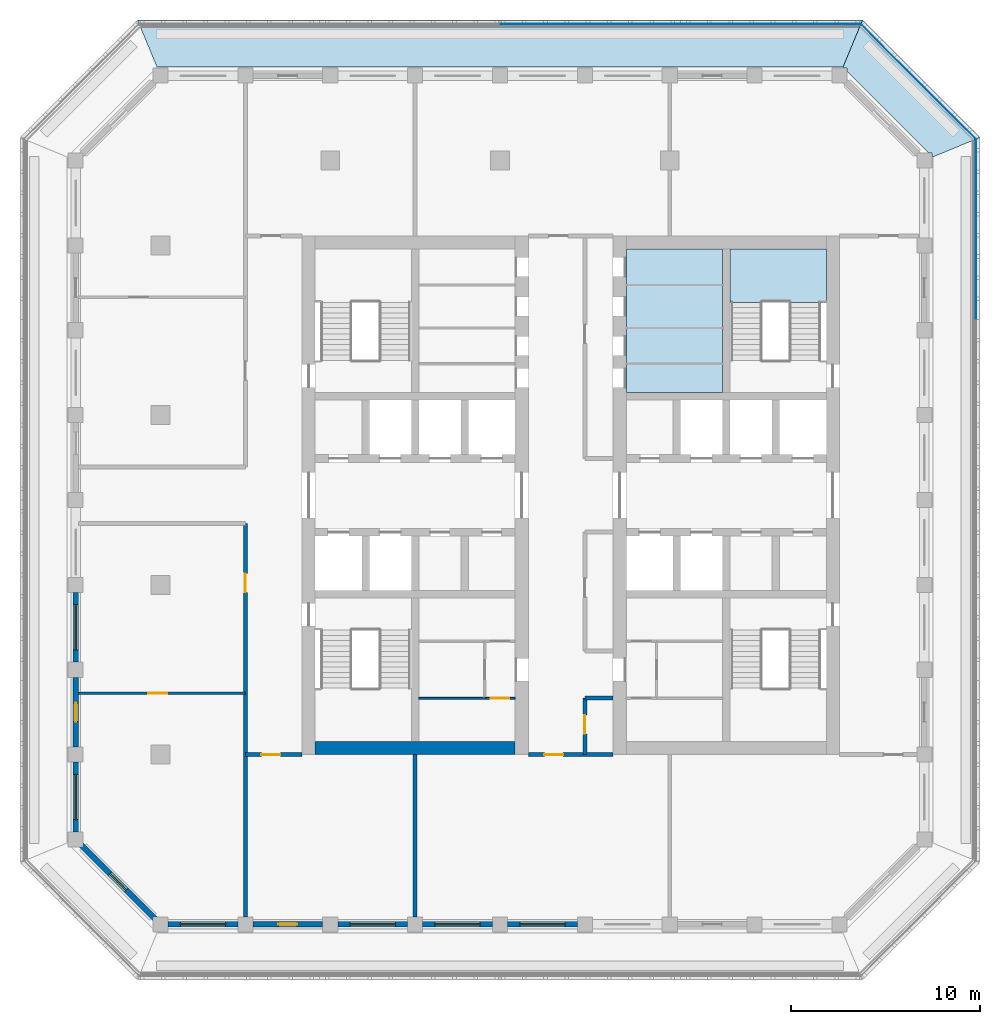
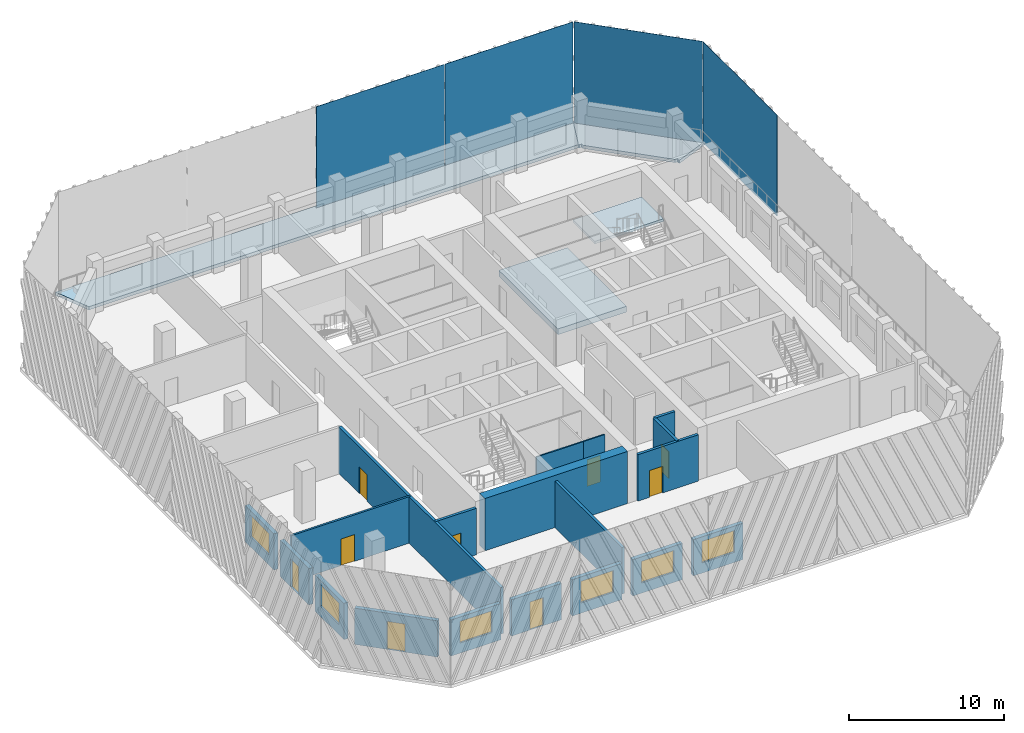
# One storey, part 2 of 15: 19 walls, 9 doors, 6 windows, 4 plates, 4 slabs, 15 openings, 1 element without a shape of its own.
"""IFC4 building model written with IfcOpenShell, lengths in metres."""

import ifcopenshell
import ifcopenshell.guid

model = None  # the IFC model being written
_history = None  # IfcOwnerHistory: only IFC2X3 demands one
_inside = {}  # id of a spatial element -> (the spatial element, [elements in it])
_under = {}  # id of a project, library or spatial element -> (it, [spatial elements below it])
_declared = {}  # id of a project -> (the project, [libraries it declares])
_typed = {}  # id of a type object -> (the type object, [elements of that type])
_made_of = {}  # id of a material, layer set ... -> (it, [elements and type objects made of it])


def new_model(schema):
    """Start an empty IFC model of exactly this schema.

    Asked for "IFC4X3", IfcOpenShell would pick the latest addendum, in which some entities
    have other attributes; the version numbers below select the first issue.
    IFC2X3 requires an IfcOwnerHistory on every rooted entity: one is made here for all.
    """
    global model, _history
    if schema == "IFC4X3":
        model = ifcopenshell.file(schema_version=(4, 3, 0, 0))
    else:
        model = ifcopenshell.file(schema=schema)
    _inside.clear()
    _under.clear()
    _declared.clear()
    _typed.clear()
    _made_of.clear()
    _history = None
    if model.schema == "IFC2X3":
        org = make("IfcOrganization", Name="unknown")
        user = make(
            "IfcPersonAndOrganization",
            ThePerson=make("IfcPerson", FamilyName="unknown"),
            TheOrganization=org,
        )
        app = make(
            "IfcApplication",
            ApplicationDeveloper=org,
            Version="unknown",
            ApplicationFullName="unknown",
            ApplicationIdentifier="unknown",
        )
        _history = make(
            "IfcOwnerHistory",
            OwningUser=user,
            OwningApplication=app,
            ChangeAction="ADDED",
            CreationDate=0,
        )
    return model


def make(cls, **values):
    """One entity of the class cls with the attributes given. An attribute that is None is left unset."""
    return model.create_entity(
        cls, **{name: value for name, value in values.items() if value is not None}
    )


def rooted(cls, **values):
    """An entity with a GlobalId (a new one), such as an element, a storey or a relation."""
    return make(cls, GlobalId=ifcopenshell.guid.new(), OwnerHistory=_history, **values)


def si_unit(unit_type, name, prefix=None):
    """IfcSIUnit, for example si_unit("LENGTHUNIT", "METRE", prefix="MILLI")."""
    return make("IfcSIUnit", UnitType=unit_type, Prefix=prefix, Name=name)


def assignment(units):
    """IfcUnitAssignment: the units of a project."""
    return None if units is None else make("IfcUnitAssignment", Units=units)


def point(xyz):
    """IfcCartesianPoint."""
    return None if xyz is None else make("IfcCartesianPoint", Coordinates=xyz)


def direction(xyz):
    """IfcDirection."""
    return None if xyz is None else make("IfcDirection", DirectionRatios=xyz)


def frame(location, z_axis=None, x_axis=None):
    """IfcAxis2Placement3D, a coordinate frame: its origin and axes. An axis left out is left unset."""
    return make(
        "IfcAxis2Placement3D",
        Location=point(location),
        Axis=direction(z_axis),
        RefDirection=direction(x_axis),
    )


def frame_2d(location, x_axis=None):
    """IfcAxis2Placement2D, a coordinate frame in the plane: its origin and x axis."""
    return make(
        "IfcAxis2Placement2D", Location=point(location), RefDirection=direction(x_axis)
    )


def origin():
    """The frame at (0, 0, 0) with its axes left unset."""
    return frame((0.0, 0.0, 0.0))


def origin_2d():
    """The frame at (0, 0) in the plane with its x axis left unset."""
    return frame_2d((0.0, 0.0))


def place(relative_to, where):
    """IfcLocalPlacement: puts the frame where relative to a parent placement (None: the world)."""
    return make(
        "IfcLocalPlacement", PlacementRelTo=relative_to, RelativePlacement=where
    )


def context(
    kind, dimensions, precision=None, world=None, true_north=None, identifier=None
):
    """IfcGeometricRepresentationContext, for example the 3D "Model" context."""
    return make(
        "IfcGeometricRepresentationContext",
        ContextIdentifier=identifier,
        ContextType=kind,
        CoordinateSpaceDimension=dimensions,
        Precision=precision,
        WorldCoordinateSystem=world,
        TrueNorth=true_north,
    )


def subcontext(parent, identifier, kind, view, scale=None):
    """IfcGeometricRepresentationSubContext, for example "Body" below "Model"."""
    return make(
        "IfcGeometricRepresentationSubContext",
        ContextIdentifier=identifier,
        ContextType=kind,
        ParentContext=parent,
        TargetScale=scale,
        TargetView=view,
    )


def project(units=None, contexts=None):
    """IfcProject with its units and contexts."""
    return rooted(
        "IfcProject",
        Name="project",
        RepresentationContexts=contexts,
        UnitsInContext=assignment(units),
    )


def spatial(cls, under=None, at=None, **own):
    """A site, building, storey or space (cls), placed at a placement, below another one or the project."""
    s = rooted(cls, ObjectPlacement=at, **own)
    if under is not None:
        _under.setdefault(under.id(), (under, []))[1].append(s)
    return s


def polyline(points):
    """IfcPolyline through the points."""
    return make("IfcPolyline", Points=[point(p) for p in points])


def profile(cls, at=None, kind="AREA", **sizes):
    """A parametric profile (cls). Its sizes go by their IFC names, for example OverallWidth=200.0."""
    return make(cls, ProfileType=kind, Position=at, **sizes)


def rectangle(**sizes):
    """IfcRectangleProfileDef."""
    return profile("IfcRectangleProfileDef", **sizes)


def outline(outer, holes=None, kind="AREA"):
    """IfcArbitraryClosedProfileDef: a profile drawn as a closed curve; with holes, ...WithVoids."""
    if holes is None:
        return make("IfcArbitraryClosedProfileDef", ProfileType=kind, OuterCurve=outer)
    return make(
        "IfcArbitraryProfileDefWithVoids",
        ProfileType=kind,
        OuterCurve=outer,
        InnerCurves=holes,
    )


def extrude(swept, where, along, depth):
    """IfcExtrudedAreaSolid: the profile swept, set in the frame where, extruded along a direction by depth."""
    return make(
        "IfcExtrudedAreaSolid",
        SweptArea=swept,
        Position=where,
        ExtrudedDirection=direction(along),
        Depth=depth,
    )


def shape(context_of_items, identifier, shape_type, items):
    """IfcShapeRepresentation: the items that make up one representation, for example the "Body"."""
    return make(
        "IfcShapeRepresentation",
        ContextOfItems=context_of_items,
        RepresentationIdentifier=identifier,
        RepresentationType=shape_type,
        Items=items,
    )


def material(Name=None, Category=None):
    """IfcMaterial."""
    return make("IfcMaterial", Name=Name, Category=Category)


def layer(
    of_material, thickness, ventilated=None, Name=None, Category=None, Priority=None
):
    """IfcMaterialLayer: one layer of a wall or slab, of a material (None: an air gap)."""
    return make(
        "IfcMaterialLayer",
        Material=of_material,
        LayerThickness=thickness,
        IsVentilated=ventilated,
        Name=Name,
        Category=Category,
        Priority=Priority,
    )


def layer_set(layers, Name=None):
    """IfcMaterialLayerSet."""
    return make("IfcMaterialLayerSet", MaterialLayers=layers, LayerSetName=Name)


def made_of(thing, what):
    """Note that an element or type object is made of a material, layer set ...; save() writes the relation."""
    if what is not None:
        _made_of.setdefault(what.id(), (what, []))[1].append(thing)
    return thing


def type_object(cls, material=None, **own):
    """A type object (cls), such as IfcWallType, which elements share."""
    return made_of(rooted(cls, **own), material)


def element(
    cls,
    number,
    at=None,
    inside=None,
    cuts=None,
    type_object=None,
    material=None,
    context=None,
    identifier="Body",
    shape_type=None,
    held_by="IfcProductDefinitionShape",
    body=None,
    shapes=None,
    **own,
):
    """One element of the class cls, such as IfcWall. Its Tag is "e" and its number.

    at: its placement. inside: the storey or other place that contains it. cuts: it is an
    opening in that element (IfcRelVoidsElement). A single representation is given by context,
    identifier, shape_type and body (its items); several are given by shapes. held_by: the class
    of the entity that holds the representations. save() writes the other relations.
    """
    e = rooted(cls, Tag="e%d" % number, ObjectPlacement=at, **own)
    if body is not None:
        shapes = [shape(context, identifier, shape_type, body)]
    if shapes is not None:
        e.Representation = make(held_by, Representations=shapes)
    if inside is not None:
        _inside.setdefault(inside.id(), (inside, []))[1].append(e)
    if cuts is not None:
        rooted(
            "IfcRelVoidsElement", RelatingBuildingElement=cuts, RelatedOpeningElement=e
        )
    if type_object is not None:
        _typed.setdefault(type_object.id(), (type_object, []))[1].append(e)
    return made_of(e, material)


def fill(opening, filler):
    """IfcRelFillsElement: the door or window that sits in an opening."""
    return rooted(
        "IfcRelFillsElement",
        RelatingOpeningElement=opening,
        RelatedBuildingElement=filler,
    )


def aggregate(whole, parts):
    """IfcRelAggregates: a whole, such as a stair, and the parts it consists of."""
    return rooted("IfcRelAggregates", RelatingObject=whole, RelatedObjects=parts)


def save(model, path):
    """Write the relations noted so far, then the file.

    IfcRelAggregates (storeys below a building ...), IfcRelContainedInSpatialStructure (elements
    in a storey), IfcRelDefinesByType, IfcRelAssociatesMaterial and IfcRelDeclares: one each for
    every whole, place, type object, material and project.
    """
    for whole, parts in _under.values():
        aggregate(whole, parts)
    for where, things in _inside.values():
        rooted(
            "IfcRelContainedInSpatialStructure",
            RelatedElements=things,
            RelatingStructure=where,
        )
    for kind, things in _typed.values():
        rooted("IfcRelDefinesByType", RelatedObjects=things, RelatingType=kind)
    for what, things in _made_of.values():
        rooted("IfcRelAssociatesMaterial", RelatedObjects=things, RelatingMaterial=what)
    for by, libraries in _declared.values():
        rooted("IfcRelDeclares", RelatingContext=by, RelatedDefinitions=libraries)
    model.write(path)


model = new_model("IFC4")

# Units and contexts
model_context = context("Model", 3, precision=1e-05, world=origin(), true_north=direction((0.0, 1.0)))
body_context = subcontext(model_context, "Body", "Model", "MODEL_VIEW")
ifc_project = project(units=[si_unit("LENGTHUNIT", "METRE"), si_unit("AREAUNIT", "SQUARE_METRE"), si_unit("VOLUMEUNIT", "CUBIC_METRE"), si_unit("PLANEANGLEUNIT", "RADIAN"), si_unit("MASSUNIT", "GRAM", prefix="KILO")], contexts=[model_context])

# Site, building, storey
site_placement = place(None, origin())
site = spatial("IfcSite", under=ifc_project, at=site_placement, CompositionType="ELEMENT")
building_placement = place(site_placement, origin())
building = spatial("IfcBuilding", under=site, at=building_placement, Name="Corbel Stack Research Tower", CompositionType="ELEMENT")
storey_placement = place(building_placement, frame((0.0, 0.0, 274.5)))
storey = spatial("IfcBuildingStorey", under=building, at=storey_placement, Name="L62", CompositionType="ELEMENT", Elevation=274.5)

# Plates
ifc_material_1 = material(Name="Fritted glass", Category="glass")
ifc_layer_1 = layer(ifc_material_1, 0.02490234375)
ifc_layer_set_1 = layer_set([ifc_layer_1], Name="Fritted glass")
plate_type = type_object("IfcPlateType", Name="Fritted glass panel 25", PredefinedType="SHEET", material=ifc_layer_set_1)
plate_1_placement = place(storey_placement, frame((25.237548828125, 18.854248046875, 0.0), z_axis=(0.0, 0.0, 1.0), x_axis=(0.0, 1.0, 0.0)))
element("IfcPlate", 1, at=plate_1_placement, inside=storey, type_object=plate_type, Name="Fritted glass L62 E4", PredefinedType="SHEET", context=body_context, shape_type="SweptSolid", body=[
    extrude(rectangle(XDim=9.509521484375, YDim=0.02490234375, at=origin_2d()), origin(), (0.0, 0.0, 1.0), 7.949951171875),
])
plate_2_placement = place(storey_placement, frame((22.185791015625, 26.685791015625, 0.0), z_axis=(0.0, 0.0, 1.0), x_axis=(-0.707106781187, 0.707106781187, 0.0)))
element("IfcPlate", 2, at=plate_2_placement, inside=storey, type_object=plate_type, Name="Fritted glass L62 NE1", PredefinedType="SHEET", context=body_context, shape_type="SweptSolid", body=[
    extrude(rectangle(XDim=8.58203125, YDim=0.02490234375, at=origin_2d()), origin(), (0.0, 0.0, 1.0), 7.949951171875),
])
for number, where, z_axis, x_axis, name in (
    (3, (14.354248046875, 29.737548828125, 0.0), (0.0, 0.0, 1.0), (-1.0, 0.0, 0.0), "Fritted glass L62 N1"),
    (4, (4.784912109375, 29.737548828125, 0.0), (0.0, 0.0, 1.0), (-1.0, 0.0, 0.0), "Fritted glass L62 N2"),
):
    element("IfcPlate", number, at=place(storey_placement, frame(where, z_axis=z_axis, x_axis=x_axis)), inside=storey, type_object=plate_type, Name=name, PredefinedType="SHEET", context=body_context, shape_type="SweptSolid", body=[
        extrude(rectangle(XDim=9.509521484375, YDim=0.02490234375, at=origin_2d()), origin(), (0.0, 0.0, 1.0), 7.949951171875),
    ])

# Slabs
ifc_material_2 = material(Name="Concrete C45/55", Category="concrete")
ifc_layer_2 = layer(ifc_material_2, 0.25)
ifc_layer_set_2 = layer_set([ifc_layer_2], Name="Concrete C45/55")
slab_type_1 = type_object("IfcSlabType", Name="PT balcony slab 250 C45/55", PredefinedType="FLOOR", material=ifc_layer_set_2)
slab_1_placement = place(storey_placement, frame((0.0, 0.0, -0.25)))
element("IfcSlab", 5, at=slab_1_placement, inside=storey, type_object=slab_type_1, Name="Loggia slab L62 NE", PredefinedType="FLOOR", context=body_context, shape_type="SweptSolid", body=[
    extrude(outline(polyline([(18.186279296875, 27.449951171875), (18.236328125, 27.39990234375), (18.39990234375, 27.39990234375), (18.39990234375, 27.236328125), (22.736328125, 22.89990234375), (22.89990234375, 22.89990234375), (22.89990234375, 22.736328125), (22.949951171875, 22.686279296875), (25.449951171875, 23.721923828125), (19.221923828125, 29.949951171875), (18.186279296875, 27.449951171875)])), origin(), (0.0, 0.0, 1.0), 0.25),
])
slab_2_placement = place(storey_placement, frame((0.0, 0.0, -0.25)))
element("IfcSlab", 6, at=slab_2_placement, inside=storey, type_object=slab_type_1, Name="Loggia slab L62 N", PredefinedType="FLOOR", context=body_context, shape_type="SweptSolid", body=[
    extrude(outline(polyline([(-18.186279296875, 27.449951171875), (18.186279296875, 27.449951171875), (19.221923828125, 29.949951171875), (-19.221923828125, 29.949951171875), (-18.186279296875, 27.449951171875)])), origin(), (0.0, 0.0, 1.0), 0.25),
])
ifc_material_3 = material(Name="Concrete C45/55", Category="concrete")
ifc_layer_3 = layer(ifc_material_3, 0.449951171875)
ifc_layer_set_3 = layer_set([ifc_layer_3], Name="Concrete C45/55")
slab_type_2 = type_object("IfcSlabType", Name="PT-450", PredefinedType="FLOOR", material=ifc_layer_set_3)
slab_3_placement = place(storey_placement, frame((0.0, 0.0, -0.449951171875)))
element("IfcSlab", 7, at=slab_3_placement, inside=storey, type_object=slab_type_2, Name="East core floor L62", PredefinedType="FLOOR", context=body_context, shape_type="SweptSolid", body=[
    extrude(outline(polyline([(6.699951171875, 10.199951171875), (11.800048828125, 10.199951171875), (11.800048828125, 17.800048828125), (6.699951171875, 17.800048828125), (6.699951171875, 10.199951171875)])), origin(), (0.0, 0.0, 1.0), 0.449951171875),
])

# Stair, slab
ifc_material_4 = material(Name="Concrete C40/50", Category="concrete")
stair_type = type_object("IfcStairType", Name="Exit stair 24 risers", PredefinedType="HALF_TURN_STAIR", material=ifc_material_4)
stair_placement = place(storey_placement, origin())
stair = element("IfcStair", 8, at=stair_placement, inside=storey, type_object=stair_type, Name="L62 Exit stair ST-E2", PredefinedType="HALF_TURN_STAIR")
ifc_material_5 = material(Name="Concrete C40/50", Category="concrete")
ifc_layer_4 = layer(ifc_material_5, 0.199951171875)
ifc_layer_set_4 = layer_set([ifc_layer_4], Name="Concrete C40/50")
slab_type_3 = type_object("IfcSlabType", Name="Stair landing 200 C40/50", PredefinedType="LANDING", material=ifc_layer_set_4)
slab_4_placement = place(storey_placement, frame((0.0, 0.0, 1.85009765625)))
slab_4 = element("IfcSlab", 9, at=slab_4_placement, type_object=slab_type_3, Name="ST-E2 landing 1", PredefinedType="LANDING", context=body_context, shape_type="SweptSolid", body=[
    extrude(outline(polyline([(12.199951171875, 14.97998046875), (12.199951171875, 17.800048828125), (17.300048828125, 17.800048828125), (17.300048828125, 14.97998046875), (12.199951171875, 14.97998046875)])), origin(), (0.0, 0.0, 1.0), 0.199951171875),
])
aggregate(stair, [slab_4])

# Wall
ifc_material_6 = material(Name="Concrete C60/75", Category="concrete")
ifc_layer_5 = layer(ifc_material_6, 0.699951171875)
ifc_layer_set_5 = layer_set([ifc_layer_5], Name="Concrete C60/75")
wall_type_1 = type_object("IfcWallType", Name="CW-700-60", PredefinedType="SHEAR", material=ifc_layer_set_5)
wall_1_placement = place(storey_placement, frame((-9.800048828125, -8.64990234375, 0.0), z_axis=(0.0, 0.0, 1.0), x_axis=(1.0, 0.0, 0.0)))
element("IfcWall", 10, at=wall_1_placement, inside=storey, type_object=wall_type_1, Name="West core wall, south end L62", PredefinedType="SHEAR", context=body_context, shape_type="SweptSolid", body=[
    extrude(rectangle(XDim=10.60009765625, YDim=0.699951171875, at=frame_2d((5.300048828125, 0.0))), origin(), (0.0, 0.0, 1.0), 4.10009765625),
])

# Wall, opening, door
ifc_material_7 = material(Name="Gypsum board")
ifc_layer_6 = layer(ifc_material_7, 0.10009765625)
ifc_layer_set_6 = layer_set([ifc_layer_6], Name="Gypsum board")
wall_type_2 = type_object("IfcWallType", Name="Core partition 100", PredefinedType="PARTITIONING", material=ifc_layer_set_6)
wall_2_placement = place(storey_placement, frame((-0.800048828125, -6.02001953125, 0.0), z_axis=(0.0, 0.0, 1.0), x_axis=(1.0, 0.0, 0.0)))
wall_2 = element("IfcWall", 11, at=wall_2_placement, inside=storey, type_object=wall_type_2, Name="Core partition W", PredefinedType="PARTITIONING", context=body_context, shape_type="SweptSolid", body=[
    extrude(rectangle(XDim=1.60009765625, YDim=0.10009765625, at=frame_2d((0.800048828125, 0.0))), origin(), (0.0, 0.0, 1.0), 3.64990234375),
])
opening_1_placement = place(wall_2_placement, frame((0.300048828125, 0.0, 0.0)))
opening_1 = element("IfcOpeningElement", 12, at=opening_1_placement, cuts=wall_2, Name="Opening CR-W36-W2-1000", PredefinedType="OPENING", context=body_context, shape_type="SweptSolid", body=[
    extrude(rectangle(XDim=1.0, YDim=2.10009765625, at=frame_2d((0.5, 1.050048828125))), frame((0.0, 0.06005859375, 0.0), z_axis=(0.0, -1.0, 0.0), x_axis=(1.0, 0.0, 0.0)), (0.0, 0.0, 1.0), 0.1201171875),
])
ifc_material_8 = material(Name="Painted timber door", Category="wood")
door_type_1 = type_object("IfcDoorType", Name="WC door 1000 x 2100 right hand", OperationType="SINGLE_SWING_RIGHT", PredefinedType="DOOR", material=ifc_material_8)
door_1_placement = place(opening_1_placement, origin())
door_1 = element("IfcDoor", 13, at=door_1_placement, inside=storey, type_object=door_type_1, Name="Men's WC door W core", OperationType="SINGLE_SWING_RIGHT", OverallHeight=2.10009765625, OverallWidth=1.0, PredefinedType="DOOR", context=body_context, shape_type="SweptSolid", body=[
    extrude(rectangle(XDim=1.0, YDim=2.10009765625, at=frame_2d((0.5, 1.050048828125))), frame((0.0, 0.02490234375, 0.0), z_axis=(0.0, -1.0, 0.0), x_axis=(1.0, 0.0, 0.0)), (0.0, 0.0, 1.0), 0.050048828125),
])
fill(opening_1, door_1)

# Wall
wall_3_placement = place(storey_placement, frame((-4.300048828125, -6.02001953125, 0.0), z_axis=(0.0, 0.0, 1.0), x_axis=(1.0, 0.0, 0.0)))
element("IfcWall", 14, at=wall_3_placement, inside=storey, type_object=wall_type_2, Name="Core partition W", PredefinedType="PARTITIONING", context=body_context, shape_type="SweptSolid", body=[
    extrude(rectangle(XDim=3.5, YDim=0.10009765625, at=frame_2d((1.75, 0.0))), origin(), (0.0, 0.0, 1.0), 3.64990234375),
])

# Wall, opening, door
ifc_material_9 = material(Name="Fire-rated gypsum board partition on steel studs", Category="steel")
ifc_layer_7 = layer(ifc_material_9, 0.199951171875)
ifc_layer_set_7 = layer_set([ifc_layer_7], Name="Fire-rated gypsum board partition on steel studs")
wall_type_3 = type_object("IfcWallType", Name="Fire-rated partition 200 EI 60", PredefinedType="PARTITIONING", material=ifc_layer_set_7)
wall_4_placement = place(storey_placement, frame((-13.5, -17.60009765625, 0.0), z_axis=(0.0, 0.0, 1.0), x_axis=(0.0, 1.0, 0.0)))
wall_4 = element("IfcWall", 15, at=wall_4_placement, inside=storey, type_object=wall_type_3, Name="Partition L62-001", PredefinedType="PARTITIONING", context=body_context, shape_type="SweptSolid", body=[
    extrude(rectangle(XDim=20.85009765625, YDim=0.199951171875, at=frame_2d((10.425048828125, 0.0))), origin(), (0.0, 0.0, 1.0), 3.64990234375),
])
opening_2_placement = place(wall_4_placement, frame((17.199951171875, 0.0, 0.0)))
opening_2 = element("IfcOpeningElement", 16, at=opening_2_placement, cuts=wall_4, Name="Opening B8V1-001", PredefinedType="OPENING", context=body_context, shape_type="SweptSolid", body=[
    extrude(rectangle(XDim=1.0, YDim=2.10009765625, at=frame_2d((0.5, 1.050048828125))), frame((0.0, 0.10986328125, 0.0), z_axis=(0.0, -1.0, 0.0), x_axis=(1.0, 0.0, 0.0)), (0.0, 0.0, 1.0), 0.219970703125),
])
ifc_material_10 = material(Name="Painted steel fire door", Category="steel")
door_type_2 = type_object("IfcDoorType", Name="Fire door FD30S 1000 x 2100", OperationType="NOTDEFINED", PredefinedType="DOOR", material=ifc_material_10)
door_2_placement = place(opening_2_placement, origin())
door_2 = element("IfcDoor", 17, at=door_2_placement, inside=storey, type_object=door_type_2, Name="Door B8V1-001", OperationType="SINGLE_SWING_RIGHT", OverallHeight=2.10009765625, OverallWidth=1.0, PredefinedType="DOOR", context=body_context, shape_type="SweptSolid", body=[
    extrude(rectangle(XDim=1.0, YDim=2.10009765625, at=frame_2d((0.5, 1.050048828125))), frame((0.0, 0.02490234375, 0.0), z_axis=(0.0, -1.0, 0.0), x_axis=(1.0, 0.0, 0.0)), (0.0, 0.0, 1.0), 0.050048828125),
])
fill(opening_2, door_2)

# Wall
wall_5_placement = place(storey_placement, frame((-4.5, -17.60009765625, 0.0), z_axis=(0.0, 0.0, 1.0), x_axis=(0.0, 1.0, 0.0)))
element("IfcWall", 18, at=wall_5_placement, inside=storey, type_object=wall_type_3, Name="Partition L62-003", PredefinedType="PARTITIONING", context=body_context, shape_type="SweptSolid", body=[
    extrude(rectangle(XDim=8.60009765625, YDim=0.199951171875, at=frame_2d((4.300048828125, 0.0))), origin(), (0.0, 0.0, 1.0), 3.64990234375),
])

# Wall, opening, door
wall_6_placement = place(storey_placement, frame((4.5, -6.0, 0.0), z_axis=(0.0, 0.0, 1.0), x_axis=(0.0, -1.0, 0.0)))
wall_6 = element("IfcWall", 19, at=wall_6_placement, inside=storey, type_object=wall_type_3, Name="Partition L62-005", PredefinedType="PARTITIONING", context=body_context, shape_type="SweptSolid", body=[
    extrude(rectangle(XDim=3.0, YDim=0.199951171875, at=frame_2d((1.5, 0.0))), origin(), (0.0, 0.0, 1.0), 3.64990234375),
])
opening_3_placement = place(wall_6_placement, frame((0.89990234375, 0.0, 0.0)))
opening_3 = element("IfcOpeningElement", 20, at=opening_3_placement, cuts=wall_6, Name="Opening B8V1-007", PredefinedType="OPENING", context=body_context, shape_type="SweptSolid", body=[
    extrude(rectangle(XDim=1.0, YDim=2.10009765625, at=frame_2d((0.5, 1.050048828125))), frame((0.0, 0.10986328125, 0.0), z_axis=(0.0, -1.0, 0.0), x_axis=(1.0, 0.0, 0.0)), (0.0, 0.0, 1.0), 0.219970703125),
])
door_3_placement = place(opening_3_placement, origin())
door_3 = element("IfcDoor", 21, at=door_3_placement, inside=storey, type_object=door_type_2, Name="Door B8V1-007", OperationType="SINGLE_SWING_LEFT", OverallHeight=2.10009765625, OverallWidth=1.0, PredefinedType="DOOR", context=body_context, shape_type="SweptSolid", body=[
    extrude(rectangle(XDim=1.0, YDim=2.10009765625, at=frame_2d((0.5, 1.050048828125))), frame((0.0, 0.02490234375, 0.0), z_axis=(0.0, -1.0, 0.0), x_axis=(1.0, 0.0, 0.0)), (0.0, 0.0, 1.0), 0.050048828125),
])
fill(opening_3, door_3)

wall_7_placement = place(storey_placement, frame((-10.5, -9.0, 0.0), z_axis=(0.0, 0.0, 1.0), x_axis=(-1.0, 0.0, 0.0)))
wall_7 = element("IfcWall", 22, at=wall_7_placement, inside=storey, type_object=wall_type_3, Name="Partition L62-011", PredefinedType="PARTITIONING", context=body_context, shape_type="SweptSolid", body=[
    extrude(rectangle(XDim=3.0, YDim=0.199951171875, at=frame_2d((1.5, 0.0))), origin(), (0.0, 0.0, 1.0), 3.64990234375),
])
opening_4_placement = place(wall_7_placement, frame((1.14990234375, 0.0, 0.0)))
opening_4 = element("IfcOpeningElement", 23, at=opening_4_placement, cuts=wall_7, Name="Opening B8V1-003", PredefinedType="OPENING", context=body_context, shape_type="SweptSolid", body=[
    extrude(rectangle(XDim=1.0, YDim=2.10009765625, at=frame_2d((0.5, 1.050048828125))), frame((0.0, 0.10986328125, 0.0), z_axis=(0.0, -1.0, 0.0), x_axis=(1.0, 0.0, 0.0)), (0.0, 0.0, 1.0), 0.219970703125),
])
door_4_placement = place(opening_4_placement, origin())
door_4 = element("IfcDoor", 24, at=door_4_placement, inside=storey, type_object=door_type_2, Name="Door B8V1-003", OperationType="SINGLE_SWING_RIGHT", OverallHeight=2.10009765625, OverallWidth=1.0, PredefinedType="DOOR", context=body_context, shape_type="SweptSolid", body=[
    extrude(rectangle(XDim=1.0, YDim=2.10009765625, at=frame_2d((0.5, 1.050048828125))), frame((0.0, 0.02490234375, 0.0), z_axis=(0.0, -1.0, 0.0), x_axis=(1.0, 0.0, 0.0)), (0.0, 0.0, 1.0), 0.050048828125),
])
fill(opening_4, door_4)

wall_8_placement = place(storey_placement, frame((6.0, -9.0, 0.0), z_axis=(0.0, 0.0, 1.0), x_axis=(-1.0, 0.0, 0.0)))
wall_8 = element("IfcWall", 25, at=wall_8_placement, inside=storey, type_object=wall_type_3, Name="Partition L62-012", PredefinedType="PARTITIONING", context=body_context, shape_type="SweptSolid", body=[
    extrude(rectangle(XDim=4.5, YDim=0.199951171875, at=frame_2d((2.25, 0.0))), origin(), (0.0, 0.0, 1.0), 3.64990234375),
])
opening_5_placement = place(wall_8_placement, frame((2.64990234375, 0.0, 0.0)))
opening_5 = element("IfcOpeningElement", 26, at=opening_5_placement, cuts=wall_8, Name="Opening B8V1-004", PredefinedType="OPENING", context=body_context, shape_type="SweptSolid", body=[
    extrude(rectangle(XDim=1.0, YDim=2.10009765625, at=frame_2d((0.5, 1.050048828125))), frame((0.0, 0.10986328125, 0.0), z_axis=(0.0, -1.0, 0.0), x_axis=(1.0, 0.0, 0.0)), (0.0, 0.0, 1.0), 0.219970703125),
])
door_5_placement = place(opening_5_placement, origin())
door_5 = element("IfcDoor", 27, at=door_5_placement, inside=storey, type_object=door_type_2, Name="Door B8V1-004", OperationType="SINGLE_SWING_RIGHT", OverallHeight=2.10009765625, OverallWidth=1.0, PredefinedType="DOOR", context=body_context, shape_type="SweptSolid", body=[
    extrude(rectangle(XDim=1.0, YDim=2.10009765625, at=frame_2d((0.5, 1.050048828125))), frame((0.0, 0.02490234375, 0.0), z_axis=(0.0, -1.0, 0.0), x_axis=(1.0, 0.0, 0.0)), (0.0, 0.0, 1.0), 0.050048828125),
])
fill(opening_5, door_5)

# Wall
wall_9_placement = place(storey_placement, frame((4.5, -6.0, 0.0), z_axis=(0.0, 0.0, 1.0), x_axis=(1.0, 0.0, 0.0)))
element("IfcWall", 28, at=wall_9_placement, inside=storey, type_object=wall_type_3, Name="Partition L62-014", PredefinedType="PARTITIONING", context=body_context, shape_type="SweptSolid", body=[
    extrude(rectangle(XDim=1.5, YDim=0.199951171875, at=frame_2d((0.75, 0.0))), origin(), (0.0, 0.0, 1.0), 3.64990234375),
])

# Wall, opening, door
ifc_material_11 = material(Name="Gypsum board partition on steel studs", Category="steel")
ifc_layer_8 = layer(ifc_material_11, 0.14990234375)
ifc_layer_set_8 = layer_set([ifc_layer_8], Name="Gypsum board partition on steel studs")
wall_type_4 = type_object("IfcWallType", Name="Partition 150", PredefinedType="PARTITIONING", material=ifc_layer_set_8)
wall_10_placement = place(storey_placement, frame((-13.5, -5.75, 0.0), z_axis=(0.0, 0.0, 1.0), x_axis=(-1.0, 0.0, 0.0)))
wall_10 = element("IfcWall", 29, at=wall_10_placement, inside=storey, type_object=wall_type_4, Name="Partition L62-015", PredefinedType="PARTITIONING", context=body_context, shape_type="SweptSolid", body=[
    extrude(rectangle(XDim=8.85009765625, YDim=0.14990234375, at=frame_2d((4.425048828125, 0.0))), origin(), (0.0, 0.0, 1.0), 3.64990234375),
])
opening_6_placement = place(wall_10_placement, frame((4.14990234375, 0.0, 0.0)))
opening_6 = element("IfcOpeningElement", 30, at=opening_6_placement, cuts=wall_10, Name="Opening B8V1-006", PredefinedType="OPENING", context=body_context, shape_type="SweptSolid", body=[
    extrude(rectangle(XDim=1.0, YDim=2.10009765625, at=frame_2d((0.5, 1.050048828125))), frame((0.0, 0.0849609375, 0.0), z_axis=(0.0, -1.0, 0.0), x_axis=(1.0, 0.0, 0.0)), (0.0, 0.0, 1.0), 0.169921875),
])
ifc_material_12 = material(Name="Painted timber door", Category="wood")
door_type_3 = type_object("IfcDoorType", Name="Single door 1000 x 2100", OperationType="NOTDEFINED", PredefinedType="DOOR", material=ifc_material_12)
door_6_placement = place(opening_6_placement, origin())
door_6 = element("IfcDoor", 31, at=door_6_placement, inside=storey, type_object=door_type_3, Name="Door B8V1-006", OperationType="SINGLE_SWING_RIGHT", OverallHeight=2.10009765625, OverallWidth=1.0, PredefinedType="DOOR", context=body_context, shape_type="SweptSolid", body=[
    extrude(rectangle(XDim=1.0, YDim=2.10009765625, at=frame_2d((0.5, 1.050048828125))), frame((0.0, 0.02490234375, 0.0), z_axis=(0.0, -1.0, 0.0), x_axis=(1.0, 0.0, 0.0)), (0.0, 0.0, 1.0), 0.050048828125),
])
fill(opening_6, door_6)

# Wall, opening, window
ifc_material_13 = material(Name="Concrete C45/55", Category="concrete")
ifc_layer_9 = layer(ifc_material_13, 0.300048828125)
ifc_layer_set_9 = layer_set([ifc_layer_9], Name="Concrete C45/55")
wall_type_5 = type_object("IfcWallType", Name="Terracotta-faced concrete wall 300", PredefinedType="SOLIDWALL", material=ifc_layer_set_9)
wall_11_placement = place(storey_placement, frame((-13.89990234375, -18.0, 0.0), z_axis=(0.0, 0.0, 1.0), x_axis=(-1.0, 0.0, 0.0)))
wall_11 = element("IfcWall", 32, at=wall_11_placement, inside=storey, type_object=wall_type_5, Name="Facade wall L62 S01", PredefinedType="SOLIDWALL", context=body_context, shape_type="SweptSolid", body=[
    extrude(rectangle(XDim=3.7001953125, YDim=0.300048828125, at=frame_2d((1.85009765625, 0.0))), origin(), (0.0, 0.0, 1.0), 2.85009765625),
])
opening_7_placement = place(wall_11_placement, frame((0.64990234375, 0.0, 0.800048828125)))
opening_7 = element("IfcOpeningElement", 33, at=opening_7_placement, cuts=wall_11, Name="Opening W1", PredefinedType="OPENING", context=body_context, shape_type="SweptSolid", body=[
    extrude(rectangle(XDim=2.39990234375, YDim=1.699951171875, at=frame_2d((1.199951171875, 0.85009765625))), frame((0.0, 0.159912109375, 0.0), z_axis=(0.0, -1.0, 0.0), x_axis=(1.0, 0.0, 0.0)), (0.0, 0.0, 1.0), 0.320068359375),
])
ifc_material_14 = material(Name="Aluminium frame, clear double glazing", Category="aluminium")
window_type = type_object("IfcWindowType", Name="Window W1 2400 x 1700", PartitioningType="SINGLE_PANEL", PredefinedType="WINDOW", material=ifc_material_14)
window_1_placement = place(opening_7_placement, origin())
window_1 = element("IfcWindow", 34, at=window_1_placement, inside=storey, type_object=window_type, Name="Window W1 L62 S01", OverallHeight=1.699951171875, OverallWidth=2.39990234375, PartitioningType="SINGLE_PANEL", PredefinedType="WINDOW", context=body_context, shape_type="SweptSolid", body=[
    extrude(rectangle(XDim=2.39990234375, YDim=1.699951171875, at=frame_2d((1.199951171875, 0.85009765625))), frame((0.0, 0.030029296875, 0.0), z_axis=(0.0, -1.0, 0.0), x_axis=(1.0, 0.0, 0.0)), (0.0, 0.0, 1.0), 0.06005859375),
])
fill(opening_7, window_1)

# Wall, opening, door
wall_12_placement = place(storey_placement, frame((-9.39990234375, -18.0, 0.0), z_axis=(0.0, 0.0, 1.0), x_axis=(-1.0, 0.0, 0.0)))
wall_12 = element("IfcWall", 35, at=wall_12_placement, inside=storey, type_object=wall_type_5, Name="Facade wall L62 S02", PredefinedType="SOLIDWALL", context=body_context, shape_type="SweptSolid", body=[
    extrude(rectangle(XDim=3.7001953125, YDim=0.300048828125, at=frame_2d((1.85009765625, 0.0))), origin(), (0.0, 0.0, 1.0), 2.85009765625),
])
opening_8_placement = place(wall_12_placement, frame((1.35009765625, 0.0, 0.0)))
opening_8 = element("IfcOpeningElement", 36, at=opening_8_placement, cuts=wall_12, Name="Opening L62-B01", PredefinedType="OPENING", context=body_context, shape_type="SweptSolid", body=[
    extrude(rectangle(XDim=1.0, YDim=2.199951171875, at=frame_2d((0.5, 1.10009765625))), frame((0.0, 0.159912109375, 0.0), z_axis=(0.0, -1.0, 0.0), x_axis=(1.0, 0.0, 0.0)), (0.0, 0.0, 1.0), 0.320068359375),
])
ifc_material_15 = material(Name="Aluminium frame, clear double glazing", Category="aluminium")
door_type_4 = type_object("IfcDoorType", Name="Balcony door BD1 1000 x 2200", OperationType="NOTDEFINED", PredefinedType="DOOR", material=ifc_material_15)
door_7_placement = place(opening_8_placement, origin())
door_7 = element("IfcDoor", 37, at=door_7_placement, inside=storey, type_object=door_type_4, Name="Balcony door L62-B01", OperationType="SINGLE_SWING_RIGHT", OverallHeight=2.199951171875, OverallWidth=1.0, PredefinedType="DOOR", context=body_context, shape_type="SweptSolid", body=[
    extrude(rectangle(XDim=1.0, YDim=2.199951171875, at=frame_2d((0.5, 1.10009765625))), frame((0.0, 0.02490234375, 0.0), z_axis=(0.0, -1.0, 0.0), x_axis=(1.0, 0.0, 0.0)), (0.0, 0.0, 1.0), 0.050048828125),
])
fill(opening_8, door_7)

# Wall, opening, window
wall_13_placement = place(storey_placement, frame((-4.89990234375, -18.0, 0.0), z_axis=(0.0, 0.0, 1.0), x_axis=(-1.0, 0.0, 0.0)))
wall_13 = element("IfcWall", 38, at=wall_13_placement, inside=storey, type_object=wall_type_5, Name="Facade wall L62 S03", PredefinedType="SOLIDWALL", context=body_context, shape_type="SweptSolid", body=[
    extrude(rectangle(XDim=3.7001953125, YDim=0.300048828125, at=frame_2d((1.85009765625, 0.0))), origin(), (0.0, 0.0, 1.0), 2.85009765625),
])
opening_9_placement = place(wall_13_placement, frame((0.64990234375, 0.0, 0.800048828125)))
opening_9 = element("IfcOpeningElement", 39, at=opening_9_placement, cuts=wall_13, Name="Opening W1", PredefinedType="OPENING", context=body_context, shape_type="SweptSolid", body=[
    extrude(rectangle(XDim=2.39990234375, YDim=1.699951171875, at=frame_2d((1.199951171875, 0.85009765625))), frame((0.0, 0.159912109375, 0.0), z_axis=(0.0, -1.0, 0.0), x_axis=(1.0, 0.0, 0.0)), (0.0, 0.0, 1.0), 0.320068359375),
])
window_2_placement = place(opening_9_placement, origin())
window_2 = element("IfcWindow", 40, at=window_2_placement, inside=storey, type_object=window_type, Name="Window W1 L62 S03", OverallHeight=1.699951171875, OverallWidth=2.39990234375, PartitioningType="SINGLE_PANEL", PredefinedType="WINDOW", context=body_context, shape_type="SweptSolid", body=[
    extrude(rectangle(XDim=2.39990234375, YDim=1.699951171875, at=frame_2d((1.199951171875, 0.85009765625))), frame((0.0, 0.030029296875, 0.0), z_axis=(0.0, -1.0, 0.0), x_axis=(1.0, 0.0, 0.0)), (0.0, 0.0, 1.0), 0.06005859375),
])
fill(opening_9, window_2)

wall_14_placement = place(storey_placement, frame((-0.39990234375, -18.0, 0.0), z_axis=(0.0, 0.0, 1.0), x_axis=(-1.0, 0.0, 0.0)))
wall_14 = element("IfcWall", 41, at=wall_14_placement, inside=storey, type_object=wall_type_5, Name="Facade wall L62 S04", PredefinedType="SOLIDWALL", context=body_context, shape_type="SweptSolid", body=[
    extrude(rectangle(XDim=3.7001953125, YDim=0.300048828125, at=frame_2d((1.85009765625, 0.0))), origin(), (0.0, 0.0, 1.0), 2.85009765625),
])
opening_10_placement = place(wall_14_placement, frame((0.64990234375, 0.0, 0.800048828125)))
opening_10 = element("IfcOpeningElement", 42, at=opening_10_placement, cuts=wall_14, Name="Opening W1", PredefinedType="OPENING", context=body_context, shape_type="SweptSolid", body=[
    extrude(rectangle(XDim=2.39990234375, YDim=1.699951171875, at=frame_2d((1.199951171875, 0.85009765625))), frame((0.0, 0.159912109375, 0.0), z_axis=(0.0, -1.0, 0.0), x_axis=(1.0, 0.0, 0.0)), (0.0, 0.0, 1.0), 0.320068359375),
])
window_3_placement = place(opening_10_placement, origin())
window_3 = element("IfcWindow", 43, at=window_3_placement, inside=storey, type_object=window_type, Name="Window W1 L62 S04", OverallHeight=1.699951171875, OverallWidth=2.39990234375, PartitioningType="SINGLE_PANEL", PredefinedType="WINDOW", context=body_context, shape_type="SweptSolid", body=[
    extrude(rectangle(XDim=2.39990234375, YDim=1.699951171875, at=frame_2d((1.199951171875, 0.85009765625))), frame((0.0, 0.030029296875, 0.0), z_axis=(0.0, -1.0, 0.0), x_axis=(1.0, 0.0, 0.0)), (0.0, 0.0, 1.0), 0.06005859375),
])
fill(opening_10, window_3)

wall_15_placement = place(storey_placement, frame((4.10009765625, -18.0, 0.0), z_axis=(0.0, 0.0, 1.0), x_axis=(-1.0, 0.0, 0.0)))
wall_15 = element("IfcWall", 44, at=wall_15_placement, inside=storey, type_object=wall_type_5, Name="Facade wall L62 S05", PredefinedType="SOLIDWALL", context=body_context, shape_type="SweptSolid", body=[
    extrude(rectangle(XDim=3.7001953125, YDim=0.300048828125, at=frame_2d((1.85009765625, 0.0))), origin(), (0.0, 0.0, 1.0), 2.85009765625),
])
opening_11_placement = place(wall_15_placement, frame((0.64990234375, 0.0, 0.800048828125)))
opening_11 = element("IfcOpeningElement", 45, at=opening_11_placement, cuts=wall_15, Name="Opening W1", PredefinedType="OPENING", context=body_context, shape_type="SweptSolid", body=[
    extrude(rectangle(XDim=2.39990234375, YDim=1.699951171875, at=frame_2d((1.199951171875, 0.85009765625))), frame((0.0, 0.159912109375, 0.0), z_axis=(0.0, -1.0, 0.0), x_axis=(1.0, 0.0, 0.0)), (0.0, 0.0, 1.0), 0.320068359375),
])
window_4_placement = place(opening_11_placement, origin())
window_4 = element("IfcWindow", 46, at=window_4_placement, inside=storey, type_object=window_type, Name="Window W1 L62 S05", OverallHeight=1.699951171875, OverallWidth=2.39990234375, PartitioningType="SINGLE_PANEL", PredefinedType="WINDOW", context=body_context, shape_type="SweptSolid", body=[
    extrude(rectangle(XDim=2.39990234375, YDim=1.699951171875, at=frame_2d((1.199951171875, 0.85009765625))), frame((0.0, 0.030029296875, 0.0), z_axis=(0.0, -1.0, 0.0), x_axis=(1.0, 0.0, 0.0)), (0.0, 0.0, 1.0), 0.06005859375),
])
fill(opening_11, window_4)

wall_16_placement = place(storey_placement, frame((-22.5, -4.10009765625, 0.0), z_axis=(0.0, 0.0, 1.0), x_axis=(0.0, 1.0, 0.0)))
wall_16 = element("IfcWall", 47, at=wall_16_placement, inside=storey, type_object=wall_type_5, Name="Facade wall L62 W06", PredefinedType="SOLIDWALL", context=body_context, shape_type="SweptSolid", body=[
    extrude(rectangle(XDim=3.7001953125, YDim=0.300048828125, at=frame_2d((1.85009765625, 0.0))), origin(), (0.0, 0.0, 1.0), 2.85009765625),
])
opening_12_placement = place(wall_16_placement, frame((0.64990234375, 0.0, 0.800048828125)))
opening_12 = element("IfcOpeningElement", 48, at=opening_12_placement, cuts=wall_16, Name="Opening W1", PredefinedType="OPENING", context=body_context, shape_type="SweptSolid", body=[
    extrude(rectangle(XDim=2.39990234375, YDim=1.699951171875, at=frame_2d((1.199951171875, 0.85009765625))), frame((0.0, 0.159912109375, 0.0), z_axis=(0.0, -1.0, 0.0), x_axis=(1.0, 0.0, 0.0)), (0.0, 0.0, 1.0), 0.320068359375),
])
window_5_placement = place(opening_12_placement, origin())
window_5 = element("IfcWindow", 49, at=window_5_placement, inside=storey, type_object=window_type, Name="Window W1 L62 W06", OverallHeight=1.699951171875, OverallWidth=2.39990234375, PartitioningType="SINGLE_PANEL", PredefinedType="WINDOW", context=body_context, shape_type="SweptSolid", body=[
    extrude(rectangle(XDim=2.39990234375, YDim=1.699951171875, at=frame_2d((1.199951171875, 0.85009765625))), frame((0.0, 0.030029296875, 0.0), z_axis=(0.0, -1.0, 0.0), x_axis=(1.0, 0.0, 0.0)), (0.0, 0.0, 1.0), 0.06005859375),
])
fill(opening_12, window_5)

# Wall, opening, door
wall_17_placement = place(storey_placement, frame((-22.5, -8.60009765625, 0.0), z_axis=(0.0, 0.0, 1.0), x_axis=(0.0, 1.0, 0.0)))
wall_17 = element("IfcWall", 50, at=wall_17_placement, inside=storey, type_object=wall_type_5, Name="Facade wall L62 W07", PredefinedType="SOLIDWALL", context=body_context, shape_type="SweptSolid", body=[
    extrude(rectangle(XDim=3.7001953125, YDim=0.300048828125, at=frame_2d((1.85009765625, 0.0))), origin(), (0.0, 0.0, 1.0), 2.85009765625),
])
opening_13_placement = place(wall_17_placement, frame((1.35009765625, 0.0, 0.0)))
opening_13 = element("IfcOpeningElement", 51, at=opening_13_placement, cuts=wall_17, Name="Opening L62-B11", PredefinedType="OPENING", context=body_context, shape_type="SweptSolid", body=[
    extrude(rectangle(XDim=1.0, YDim=2.199951171875, at=frame_2d((0.5, 1.10009765625))), frame((0.0, 0.159912109375, 0.0), z_axis=(0.0, -1.0, 0.0), x_axis=(1.0, 0.0, 0.0)), (0.0, 0.0, 1.0), 0.320068359375),
])
door_8_placement = place(opening_13_placement, origin())
door_8 = element("IfcDoor", 52, at=door_8_placement, inside=storey, type_object=door_type_4, Name="Balcony door L62-B11", OperationType="SINGLE_SWING_LEFT", OverallHeight=2.199951171875, OverallWidth=1.0, PredefinedType="DOOR", context=body_context, shape_type="SweptSolid", body=[
    extrude(rectangle(XDim=1.0, YDim=2.199951171875, at=frame_2d((0.5, 1.10009765625))), frame((0.0, 0.02490234375, 0.0), z_axis=(0.0, -1.0, 0.0), x_axis=(1.0, 0.0, 0.0)), (0.0, 0.0, 1.0), 0.050048828125),
])
fill(opening_13, door_8)

# Wall, opening, window
wall_18_placement = place(storey_placement, frame((-22.5, -13.10009765625, 0.0), z_axis=(0.0, 0.0, 1.0), x_axis=(0.0, 1.0, 0.0)))
wall_18 = element("IfcWall", 53, at=wall_18_placement, inside=storey, type_object=wall_type_5, Name="Facade wall L62 W08", PredefinedType="SOLIDWALL", context=body_context, shape_type="SweptSolid", body=[
    extrude(rectangle(XDim=3.7001953125, YDim=0.300048828125, at=frame_2d((1.85009765625, 0.0))), origin(), (0.0, 0.0, 1.0), 2.85009765625),
])
opening_14_placement = place(wall_18_placement, frame((0.64990234375, 0.0, 0.800048828125)))
opening_14 = element("IfcOpeningElement", 54, at=opening_14_placement, cuts=wall_18, Name="Opening W1", PredefinedType="OPENING", context=body_context, shape_type="SweptSolid", body=[
    extrude(rectangle(XDim=2.39990234375, YDim=1.699951171875, at=frame_2d((1.199951171875, 0.85009765625))), frame((0.0, 0.159912109375, 0.0), z_axis=(0.0, -1.0, 0.0), x_axis=(1.0, 0.0, 0.0)), (0.0, 0.0, 1.0), 0.320068359375),
])
window_6_placement = place(opening_14_placement, origin())
window_6 = element("IfcWindow", 55, at=window_6_placement, inside=storey, type_object=window_type, Name="Window W1 L62 W08", OverallHeight=1.699951171875, OverallWidth=2.39990234375, PartitioningType="SINGLE_PANEL", PredefinedType="WINDOW", context=body_context, shape_type="SweptSolid", body=[
    extrude(rectangle(XDim=2.39990234375, YDim=1.699951171875, at=frame_2d((1.199951171875, 0.85009765625))), frame((0.0, 0.030029296875, 0.0), z_axis=(0.0, -1.0, 0.0), x_axis=(1.0, 0.0, 0.0)), (0.0, 0.0, 1.0), 0.06005859375),
])
fill(opening_14, window_6)

# Wall, opening, door
wall_19_placement = place(storey_placement, frame((-18.2939453125, -17.7060546875, 0.0), z_axis=(0.0, 0.0, 1.0), x_axis=(-0.707106781187, 0.707106781187, 0.0)))
wall_19 = element("IfcWall", 56, at=wall_19_placement, inside=storey, type_object=wall_type_5, Name="Facade wall L62 SW01", PredefinedType="SOLIDWALL", context=body_context, shape_type="SweptSolid", body=[
    extrude(rectangle(XDim=5.532470703125, YDim=0.300048828125, at=frame_2d((2.76611328125, 0.0))), origin(), (0.0, 0.0, 1.0), 2.85009765625),
])
opening_15_placement = place(wall_19_placement, frame((2.166259765625, 0.0, 0.0)))
opening_15 = element("IfcOpeningElement", 57, at=opening_15_placement, cuts=wall_19, Name="Opening L62-B12", PredefinedType="OPENING", context=body_context, shape_type="SweptSolid", body=[
    extrude(rectangle(XDim=1.199951171875, YDim=2.199951171875, at=frame_2d((0.60009765625, 1.10009765625))), frame((0.0, 0.159912109375, 0.0), z_axis=(0.0, -1.0, 0.0), x_axis=(1.0, 0.0, 0.0)), (0.0, 0.0, 1.0), 0.320068359375),
])
ifc_material_16 = material(Name="Aluminium frame, clear double glazing", Category="aluminium")
door_type_5 = type_object("IfcDoorType", Name="Balcony door BD2 1200 x 2200", OperationType="NOTDEFINED", PredefinedType="DOOR", material=ifc_material_16)
door_9_placement = place(opening_15_placement, origin())
door_9 = element("IfcDoor", 58, at=door_9_placement, inside=storey, type_object=door_type_5, Name="Balcony door L62-B12", OperationType="SINGLE_SWING_LEFT", OverallHeight=2.199951171875, OverallWidth=1.199951171875, PredefinedType="DOOR", context=body_context, shape_type="SweptSolid", body=[
    extrude(rectangle(XDim=1.199951171875, YDim=2.199951171875, at=frame_2d((0.60009765625, 1.10009765625))), frame((0.0, 0.02490234375, 0.0), z_axis=(0.0, -1.0, 0.0), x_axis=(1.0, 0.0, 0.0)), (0.0, 0.0, 1.0), 0.050048828125),
])
fill(opening_15, door_9)

save(model, "model.ifc")
